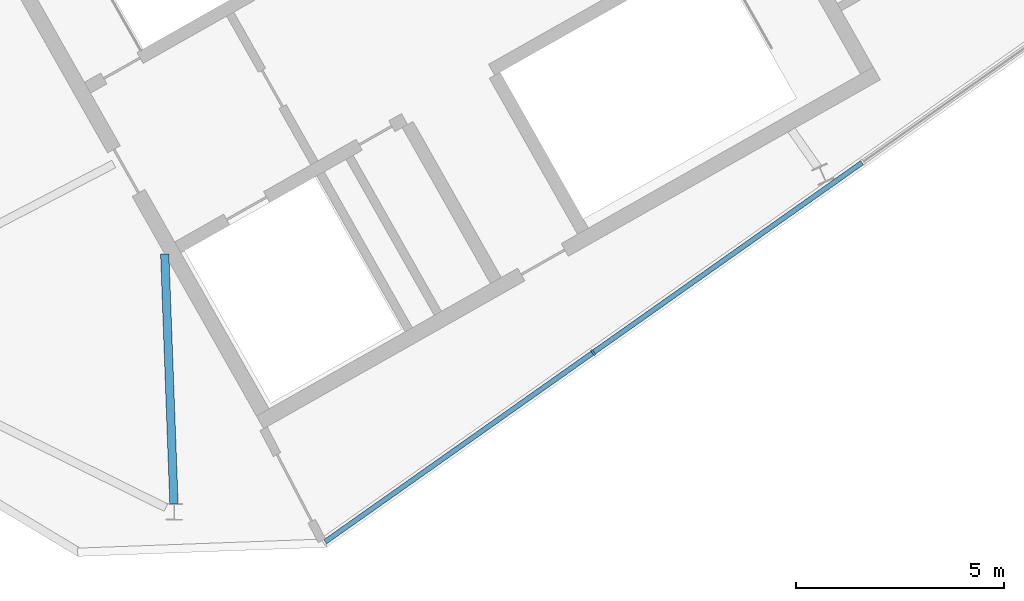
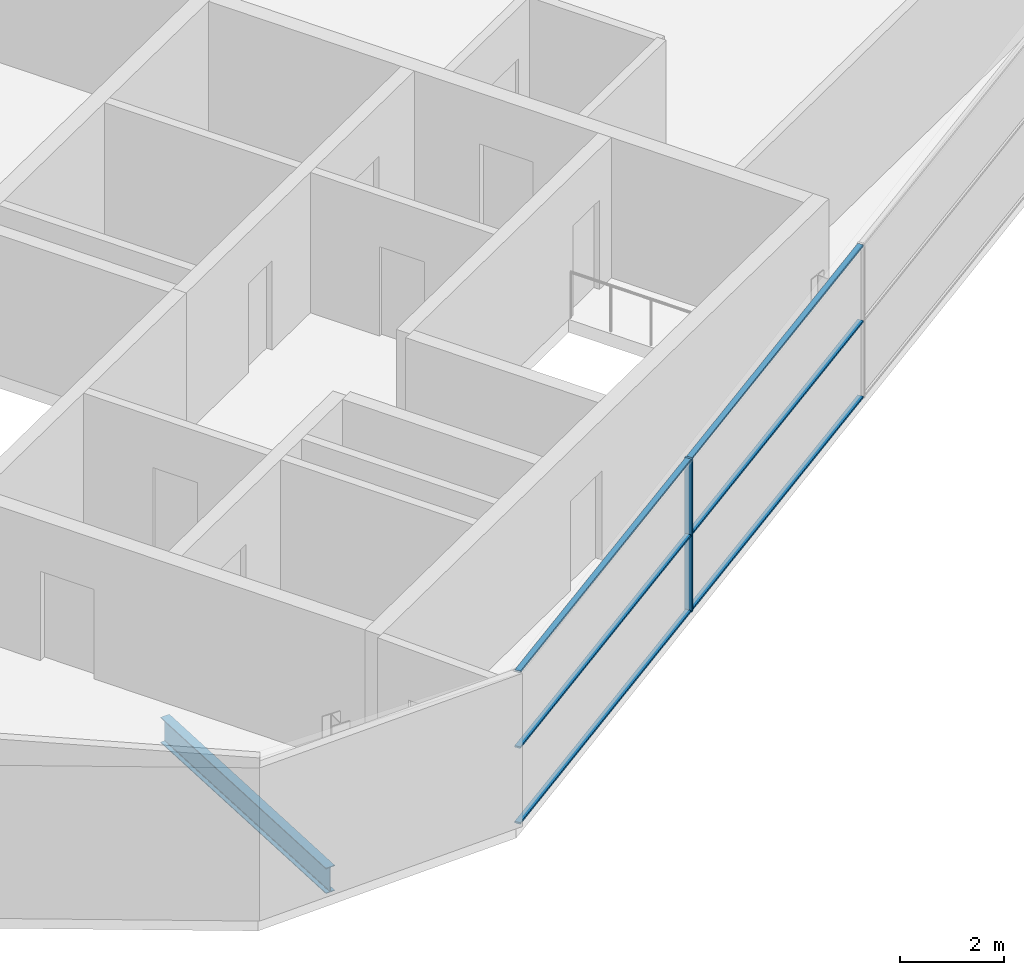
# One storey, part 4 of 10: 7 members, 1 beam, 1 element without a shape of its own.
"""IFC4 building model written with IfcOpenShell, lengths in metres."""

from ifc_helpers import new_model, si_unit, direction, frame, origin, origin_2d, place, context, subcontext, project, spatial, rectangle, i_section, extrude, material, material_profile, profile_set, type_object, element, aggregate, save


model = new_model("IFC4")

# Units and contexts
model_context = context("Model", 3, precision=1e-05, world=origin(), true_north=direction((0.0, 1.0)))
body_context = subcontext(model_context, "Body", "Model", "MODEL_VIEW")
ifc_project = project(units=[si_unit("LENGTHUNIT", "METRE"), si_unit("AREAUNIT", "SQUARE_METRE"), si_unit("VOLUMEUNIT", "CUBIC_METRE"), si_unit("PLANEANGLEUNIT", "RADIAN"), si_unit("MASSUNIT", "GRAM", prefix="KILO")], contexts=[model_context])

# Site, building, storey
site_placement = place(None, origin())
site = spatial("IfcSite", under=ifc_project, at=site_placement, CompositionType="ELEMENT")
building_placement = place(site_placement, origin())
building = spatial("IfcBuilding", under=site, at=building_placement, Name="Binnacle Exchange Tower", CompositionType="ELEMENT")
storey_placement = place(building_placement, frame((0.0, 0.0, 368.5)))
storey = spatial("IfcBuildingStorey", under=building, at=storey_placement, Name="L85", CompositionType="ELEMENT", Elevation=368.5)

# Curtain wall, members
ifc_material_1 = material(Name="Bronze anodised aluminium frame", Category="aluminium")
curtain_wall_type = type_object("IfcCurtainWallType", Name="External wall - curtain wall crown top", PredefinedType="NOTDEFINED", material=ifc_material_1)
curtain_wall_placement = place(storey_placement, origin())
curtain_wall = element("IfcCurtainWall", 1, at=curtain_wall_placement, inside=storey, type_object=curtain_wall_type, Name="External wall curtain wall CW6-C307 L85", PredefinedType="NOTDEFINED")
ifc_material_profile_1 = material_profile(ifc_material_1, rectangle(XDim=0.14990234375, YDim=0.050048828125, at=origin_2d()), Name="AL 50x150")
ifc_profile_set_1 = profile_set([ifc_material_profile_1], Name="Bronze anodised aluminium frame")
member_type_1 = type_object("IfcMemberType", Name="CW6 MULLION 50x150", PredefinedType="MULLION", material=ifc_profile_set_1)
member_1_placement = place(storey_placement, frame((-31.80908203125, 31.314208984375, 0.0), z_axis=(0.0, 0.0, 1.0), x_axis=(-0.576854127285, 0.816847180221, 0.0)))
member_1 = element("IfcMember", 2, at=member_1_placement, type_object=member_type_1, Name="CW6-C307 mullion 2", PredefinedType="MULLION", context=body_context, shape_type="SweptSolid", body=[
    extrude(rectangle(XDim=0.14990234375, YDim=0.050048828125, at=origin_2d()), origin(), (0.0, 0.0, 1.0), 3.60009765625),
])
ifc_material_profile_2 = material_profile(ifc_material_1, rectangle(XDim=0.1201171875, YDim=0.0400390625, at=origin_2d()), Name="AL 120x40")
ifc_profile_set_2 = profile_set([ifc_material_profile_2], Name="Bronze anodised aluminium frame")
member_type_2 = type_object("IfcMemberType", Name="CW6 TRANSOM 40x120", PredefinedType="USERDEFINED", material=ifc_profile_set_2)
member_2_placement = place(storey_placement, frame((-38.2373046875, 26.774658203125, 0.02001953125), z_axis=(0.816844504093, 0.576857916763, 0.0), x_axis=(-0.576857916763, 0.816844504093, 0.0)))
member_2 = element("IfcMember", 3, at=member_2_placement, type_object=member_type_2, Name="CW6-C307 transom 1.1", ObjectType="TRANSOM", PredefinedType="USERDEFINED", context=body_context, shape_type="SweptSolid", body=[
    extrude(rectangle(XDim=0.1201171875, YDim=0.0400390625, at=origin_2d()), origin(), (0.0, 0.0, 1.0), 7.844482421875),
])
member_3_placement = place(storey_placement, frame((-38.2373046875, 26.774658203125, 1.800048828125), z_axis=(0.816844504093, 0.576857916763, 0.0), x_axis=(-0.576857916763, 0.816844504093, 0.0)))
member_3 = element("IfcMember", 4, at=member_3_placement, type_object=member_type_2, Name="CW6-C307 transom 1.2", ObjectType="TRANSOM", PredefinedType="USERDEFINED", context=body_context, shape_type="SweptSolid", body=[
    extrude(rectangle(XDim=0.1201171875, YDim=0.0400390625, at=origin_2d()), origin(), (0.0, 0.0, 1.0), 7.844482421875),
])
member_4_placement = place(storey_placement, frame((-38.2373046875, 26.774658203125, 3.580078125), z_axis=(0.816844504093, 0.576857916763, 0.0), x_axis=(-0.576857916763, 0.816844504093, 0.0)))
member_4 = element("IfcMember", 5, at=member_4_placement, type_object=member_type_2, Name="CW6-C307 transom 1.3", ObjectType="TRANSOM", PredefinedType="USERDEFINED", context=body_context, shape_type="SweptSolid", body=[
    extrude(rectangle(XDim=0.1201171875, YDim=0.0400390625, at=origin_2d()), origin(), (0.0, 0.0, 1.0), 7.844482421875),
])
member_5_placement = place(storey_placement, frame((-31.78857421875, 31.32861328125, 0.02001953125), z_axis=(0.816838873446, 0.576865889812, 0.0), x_axis=(-0.576865889812, 0.816838873446, 0.0)))
member_5 = element("IfcMember", 6, at=member_5_placement, type_object=member_type_2, Name="CW6-C307 transom 2.1", ObjectType="TRANSOM", PredefinedType="USERDEFINED", context=body_context, shape_type="SweptSolid", body=[
    extrude(rectangle(XDim=0.1201171875, YDim=0.0400390625, at=origin_2d()), origin(), (0.0, 0.0, 1.0), 7.869384765625),
])
member_6_placement = place(storey_placement, frame((-31.78857421875, 31.32861328125, 1.800048828125), z_axis=(0.816838873446, 0.576865889812, 0.0), x_axis=(-0.576865889812, 0.816838873446, 0.0)))
member_6 = element("IfcMember", 7, at=member_6_placement, type_object=member_type_2, Name="CW6-C307 transom 2.2", ObjectType="TRANSOM", PredefinedType="USERDEFINED", context=body_context, shape_type="SweptSolid", body=[
    extrude(rectangle(XDim=0.1201171875, YDim=0.0400390625, at=origin_2d()), origin(), (0.0, 0.0, 1.0), 7.869384765625),
])
member_7_placement = place(storey_placement, frame((-31.78857421875, 31.32861328125, 3.580078125), z_axis=(0.816838873446, 0.576865889812, 0.0), x_axis=(-0.576865889812, 0.816838873446, 0.0)))
member_7 = element("IfcMember", 8, at=member_7_placement, type_object=member_type_2, Name="CW6-C307 transom 2.3", ObjectType="TRANSOM", PredefinedType="USERDEFINED", context=body_context, shape_type="SweptSolid", body=[
    extrude(rectangle(XDim=0.1201171875, YDim=0.0400390625, at=origin_2d()), origin(), (0.0, 0.0, 1.0), 7.869384765625),
])
aggregate(curtain_wall, [member_1, member_2, member_3, member_4, member_5, member_6, member_7])

# Beam
ifc_material_2 = material(Name="Steel S355 (SHN355)", Category="steel")
ifc_material_profile_3 = material_profile(ifc_material_2, i_section(OverallWidth=0.199951171875, OverallDepth=0.60009765625, WebThickness=0.010986328125, FlangeThickness=0.01708984375, FilletRadius=0.02197265625, at=origin_2d()), Name="H 600x200x11x17")
ifc_profile_set_3 = profile_set([ifc_material_profile_3], Name="Steel S355 (SHN355)")
beam_type = type_object("IfcBeamType", Name="Floor beam H 600x200x11x17 Steel S355 (SHN355)", PredefinedType="BEAM", material=ifc_profile_set_3)
beam_placement = place(storey_placement, frame((-41.864990234375, 27.69482421875, -0.60009765625), z_axis=(-0.036936266592, 0.999317623286, 0.0), x_axis=(-0.999317623286, -0.036936266592, 0.0)))
element("IfcBeam", 9, at=beam_placement, inside=storey, type_object=beam_type, Name="S:BM:cross:L85:013", PredefinedType="BEAM", context=body_context, shape_type="SweptSolid", body=[
    extrude(i_section(OverallWidth=0.199951171875, OverallDepth=0.60009765625, WebThickness=0.010986328125, FlangeThickness=0.01708984375, FilletRadius=0.02197265625, at=origin_2d()), origin(), (0.0, 0.0, 1.0), 5.988525390625),
])

save(model, "model.ifc")
